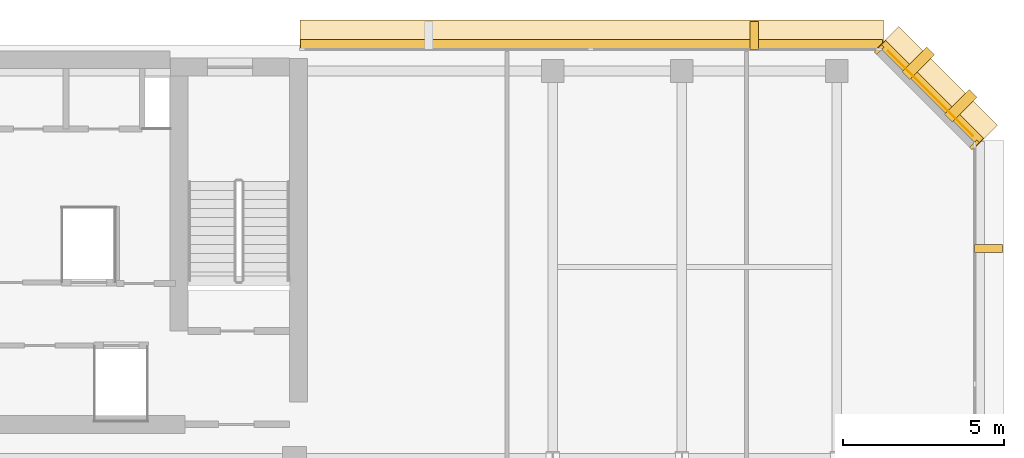
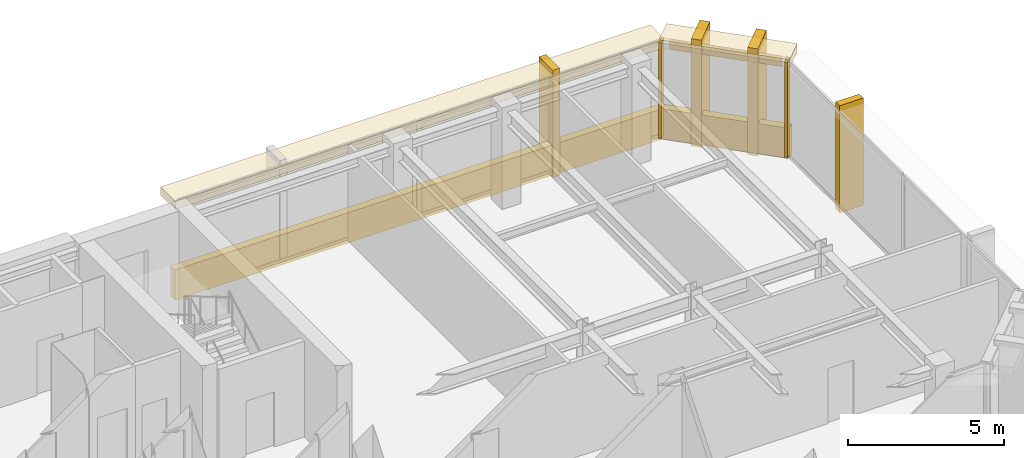
# One storey, part 11 of 11: 11 coverings.
"""IFC4 building model written with IfcOpenShell, lengths in metres."""

from ifc_helpers import new_model, si_unit, direction, frame, origin, origin_2d, place, context, subcontext, project, spatial, rectangle, extrude, material, layer, layer_set, type_object, element, save


model = new_model("IFC4")

# Units and contexts
model_context = context("Model", 3, precision=1e-05, world=origin(), true_north=direction((0.0, 1.0)))
body_context = subcontext(model_context, "Body", "Model", "MODEL_VIEW")
ifc_project = project(units=[si_unit("LENGTHUNIT", "METRE"), si_unit("AREAUNIT", "SQUARE_METRE"), si_unit("VOLUMEUNIT", "CUBIC_METRE"), si_unit("PLANEANGLEUNIT", "RADIAN"), si_unit("MASSUNIT", "GRAM", prefix="KILO")], contexts=[model_context])

# Site, building, storey
site_placement = place(None, origin())
site = spatial("IfcSite", under=ifc_project, at=site_placement, CompositionType="ELEMENT")
building_placement = place(site_placement, origin())
building = spatial("IfcBuilding", under=site, at=building_placement, Name="Kefirva Bronze Tower", CompositionType="ELEMENT")
storey_placement = place(building_placement, frame((0.0, 0.0, 303.929931640625)))
storey = spatial("IfcBuildingStorey", under=building, at=storey_placement, Name="L74", CompositionType="ELEMENT", Elevation=303.929931640625)

# Coverings
ifc_material = material(Name="Bronze anodised aluminium", Category="aluminium")
ifc_layer_1 = layer(ifc_material, 0.02001953125, Name="Bronze anodised aluminium")
ifc_layer_set_1 = layer_set([ifc_layer_1], Name="Bronze anodised aluminium")
covering_type_1 = type_object("IfcCoveringType", Name="Anodised Bronze Spandrel Cladding 20mm", PredefinedType="CLADDING", material=ifc_layer_set_1)
covering_1_placement = place(storey_placement, frame((42.906982421875, 44.507080078125, 3.320068359375), z_axis=(0.0, 0.0, 1.0), x_axis=(-0.707106781187, 0.707106781187, 0.0)))
element("IfcCovering", 1, at=covering_1_placement, inside=storey, type_object=covering_type_1, Name="L74 Bronze Spandrel Cladding 5", PredefinedType="CLADDING", context=body_context, shape_type="SweptSolid", body=[
    extrude(rectangle(XDim=3.719482421875, YDim=0.02001953125, at=origin_2d()), origin(), (0.0, 0.0, 1.0), 0.39990234375),
])
for number, where, z_axis, x_axis, name in (
    (2, (44.26220703125, 42.91162109375, 0.0), (0.0, 0.0, 1.0), (-0.707106781187, 0.707106781187, 0.0), "L74 Facade Joint Closure Panel 5S"),
    (3, (41.311767578125, 45.862060546875, 0.0), (0.0, 0.0, 1.0), (-0.707106781187, 0.707106781187, 0.0), "L74 Facade Joint Closure Panel 5E"),
):
    element("IfcCovering", number, at=place(storey_placement, frame(where, z_axis=z_axis, x_axis=x_axis)), inside=storey, type_object=covering_type_1, Name=name, PredefinedType="CLADDING", context=body_context, shape_type="SweptSolid", body=[
        extrude(rectangle(XDim=0.10009765625, YDim=0.320068359375, at=origin_2d()), origin(), (0.0, 0.0, 1.0), 3.739990234375),
    ])
covering_2_placement = place(storey_placement, frame((42.92822265625, 44.5283203125, -0.15966796875), z_axis=(0.0, 0.0, 1.0), x_axis=(-0.707106781187, 0.707106781187, 0.0)))
element("IfcCovering", 4, at=covering_2_placement, inside=storey, type_object=covering_type_1, Name="L74 Streamline Horizontal Spandrel Band 7", PredefinedType="CLADDING", context=body_context, shape_type="SweptSolid", body=[
    extrude(rectangle(XDim=4.28271484375, YDim=0.280029296875, at=origin_2d()), origin(), (0.0, 0.0, 1.0), 1.179931640625),
])
covering_3_placement = place(storey_placement, frame((32.402587890625, 46.0400390625, -0.15966796875), z_axis=(0.0, 0.0, 1.0), x_axis=(-1.0, 0.0, 0.0)))
element("IfcCovering", 5, at=covering_3_placement, inside=storey, type_object=covering_type_1, Name="L74 Streamline Horizontal Spandrel Band 8", PredefinedType="CLADDING", context=body_context, shape_type="SweptSolid", body=[
    extrude(rectangle(XDim=18.034912109375, YDim=0.280029296875, at=origin_2d()), origin(), (0.0, 0.0, 1.0), 1.179931640625),
])
ifc_layer_2 = layer(ifc_material, 0.179931640625, Name="Bronze anodised aluminium")
ifc_layer_set_2 = layer_set([ifc_layer_2], Name="Bronze anodised aluminium")
covering_type_2 = type_object("IfcCoveringType", Name="Streamline Bronze Sunshade Eyebrow Cladding 180mm", PredefinedType="CLADDING", material=ifc_layer_set_2)
covering_4_placement = place(storey_placement, frame((43.119140625, 44.71923828125, 3.419921875), z_axis=(0.0, 0.0, 1.0), x_axis=(-0.707106781187, 0.707106781187, 0.0)))
element("IfcCovering", 6, at=covering_4_placement, inside=storey, type_object=covering_type_2, Name="L74 Streamline Bronze Sunshade Eyebrow 7", PredefinedType="CLADDING", context=body_context, shape_type="SweptSolid", body=[
    extrude(rectangle(XDim=4.322509765625, YDim=0.93994140625, at=origin_2d()), origin(), (0.0, 0.0, 1.0), 0.320068359375),
])
covering_5_placement = place(storey_placement, frame((32.402587890625, 46.31005859375, 3.419921875), z_axis=(0.0, 0.0, 1.0), x_axis=(-1.0, 0.0, 0.0)))
element("IfcCovering", 7, at=covering_5_placement, inside=storey, type_object=covering_type_2, Name="L74 Streamline Bronze Sunshade Eyebrow 8", PredefinedType="CLADDING", context=body_context, shape_type="SweptSolid", body=[
    extrude(rectangle(XDim=18.074951171875, YDim=0.93994140625, at=origin_2d()), origin(), (0.0, 0.0, 1.0), 0.320068359375),
])
ifc_layer_3 = layer(ifc_material, 0.260009765625, Name="Bronze anodised aluminium")
ifc_layer_set_3 = layer_set([ifc_layer_3], Name="Bronze anodised aluminium")
covering_type_3 = type_object("IfcCoveringType", Name="Unbroken Bronze Buttress Fin Cladding 260mm", PredefinedType="CLADDING", material=ifc_layer_set_3)
covering_6_placement = place(storey_placement, frame((44.699951171875, 39.699951171875, -0.2197265625), z_axis=(0.0, 0.0, 1.0), x_axis=(0.0, 1.0, 0.0)))
element("IfcCovering", 8, at=covering_6_placement, inside=storey, type_object=covering_type_3, Name="L74 Unbroken Vertical Bronze Rib Fin 14", PredefinedType="CLADDING", context=body_context, shape_type="SweptSolid", body=[
    extrude(rectangle(XDim=0.260009765625, YDim=0.8798828125, at=origin_2d()), origin(), (0.0, 0.0, 1.0), 4.179931640625),
])
for number, where, z_axis, x_axis, name in (
    (9, (43.8427734375, 44.122802734375, -0.2197265625), (0.0, 0.0, 1.0), (-0.707106781187, 0.707106781187, 0.0), "L74 Chamfered Corner Buttress Fin Cladding 15"),
    (10, (42.522705078125, 45.44287109375, -0.2197265625), (0.0, 0.0, 1.0), (-0.707106781187, 0.707106781187, 0.0), "L74 Chamfered Corner Buttress Fin Cladding 16"),
):
    element("IfcCovering", number, at=place(storey_placement, frame(where, z_axis=z_axis, x_axis=x_axis)), inside=storey, type_object=covering_type_3, Name=name, PredefinedType="CLADDING", context=body_context, shape_type="SweptSolid", body=[
        extrude(rectangle(XDim=0.340087890625, YDim=1.080078125, at=origin_2d()), origin(), (0.0, 0.0, 1.0), 4.179931640625),
    ])
covering_7_placement = place(storey_placement, frame((37.441162109375, 46.300048828125, -0.2197265625), z_axis=(0.0, 0.0, 1.0), x_axis=(-1.0, 0.0, 0.0)))
element("IfcCovering", 11, at=covering_7_placement, inside=storey, type_object=covering_type_3, Name="L74 Unbroken Vertical Bronze Rib Fin 17", PredefinedType="CLADDING", context=body_context, shape_type="SweptSolid", body=[
    extrude(rectangle(XDim=0.260009765625, YDim=0.8798828125, at=origin_2d()), origin(), (0.0, 0.0, 1.0), 4.179931640625),
])

save(model, "model.ifc")
